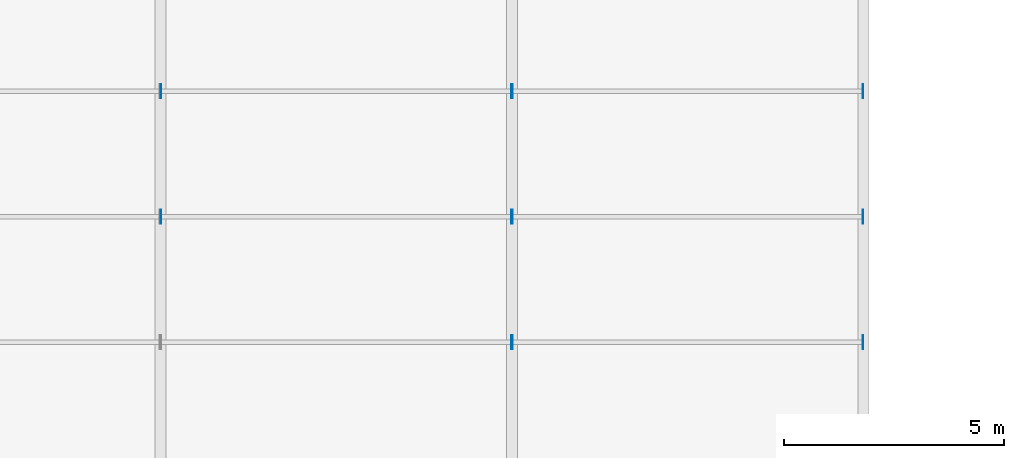
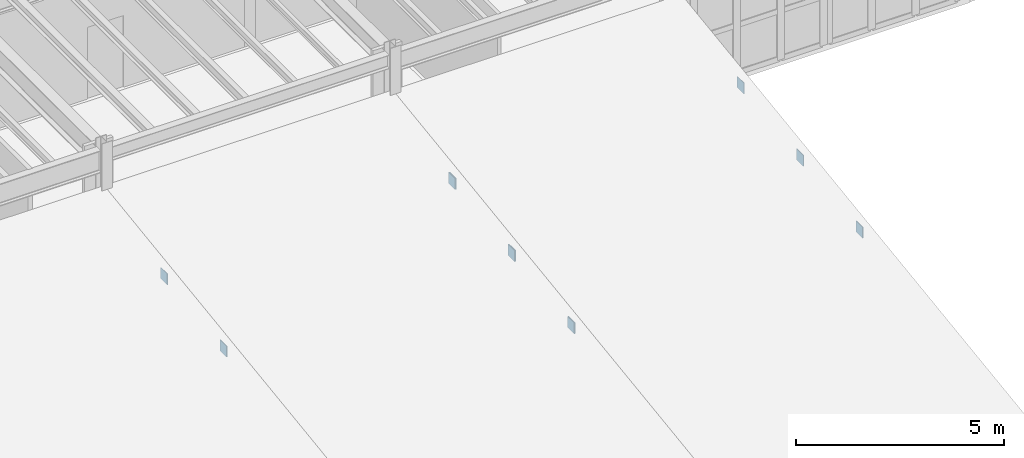
# One storey, part 60 of 77: 11 plates.
"""IFC4 building model written with IfcOpenShell, lengths in metres."""

import ifcopenshell
import ifcopenshell.guid

model = None  # the IFC model being written
_history = None  # IfcOwnerHistory: only IFC2X3 demands one
_inside = {}  # id of a spatial element -> (the spatial element, [elements in it])
_under = {}  # id of a project, library or spatial element -> (it, [spatial elements below it])
_declared = {}  # id of a project -> (the project, [libraries it declares])
_typed = {}  # id of a type object -> (the type object, [elements of that type])
_made_of = {}  # id of a material, layer set ... -> (it, [elements and type objects made of it])


def new_model(schema):
    """Start an empty IFC model of exactly this schema.

    Asked for "IFC4X3", IfcOpenShell would pick the latest addendum, in which some entities
    have other attributes; the version numbers below select the first issue.
    IFC2X3 requires an IfcOwnerHistory on every rooted entity: one is made here for all.
    """
    global model, _history
    if schema == "IFC4X3":
        model = ifcopenshell.file(schema_version=(4, 3, 0, 0))
    else:
        model = ifcopenshell.file(schema=schema)
    _inside.clear()
    _under.clear()
    _declared.clear()
    _typed.clear()
    _made_of.clear()
    _history = None
    if model.schema == "IFC2X3":
        org = make("IfcOrganization", Name="unknown")
        user = make(
            "IfcPersonAndOrganization",
            ThePerson=make("IfcPerson", FamilyName="unknown"),
            TheOrganization=org,
        )
        app = make(
            "IfcApplication",
            ApplicationDeveloper=org,
            Version="unknown",
            ApplicationFullName="unknown",
            ApplicationIdentifier="unknown",
        )
        _history = make(
            "IfcOwnerHistory",
            OwningUser=user,
            OwningApplication=app,
            ChangeAction="ADDED",
            CreationDate=0,
        )
    return model


def make(cls, **values):
    """One entity of the class cls with the attributes given. An attribute that is None is left unset."""
    return model.create_entity(
        cls, **{name: value for name, value in values.items() if value is not None}
    )


def rooted(cls, **values):
    """An entity with a GlobalId (a new one), such as an element, a storey or a relation."""
    return make(cls, GlobalId=ifcopenshell.guid.new(), OwnerHistory=_history, **values)


def si_unit(unit_type, name, prefix=None):
    """IfcSIUnit, for example si_unit("LENGTHUNIT", "METRE", prefix="MILLI")."""
    return make("IfcSIUnit", UnitType=unit_type, Prefix=prefix, Name=name)


def assignment(units):
    """IfcUnitAssignment: the units of a project."""
    return None if units is None else make("IfcUnitAssignment", Units=units)


def point(xyz):
    """IfcCartesianPoint."""
    return None if xyz is None else make("IfcCartesianPoint", Coordinates=xyz)


def direction(xyz):
    """IfcDirection."""
    return None if xyz is None else make("IfcDirection", DirectionRatios=xyz)


def frame(location, z_axis=None, x_axis=None):
    """IfcAxis2Placement3D, a coordinate frame: its origin and axes. An axis left out is left unset."""
    return make(
        "IfcAxis2Placement3D",
        Location=point(location),
        Axis=direction(z_axis),
        RefDirection=direction(x_axis),
    )


def frame_2d(location, x_axis=None):
    """IfcAxis2Placement2D, a coordinate frame in the plane: its origin and x axis."""
    return make(
        "IfcAxis2Placement2D", Location=point(location), RefDirection=direction(x_axis)
    )


def origin():
    """The frame at (0, 0, 0) with its axes left unset."""
    return frame((0.0, 0.0, 0.0))


def origin_2d():
    """The frame at (0, 0) in the plane with its x axis left unset."""
    return frame_2d((0.0, 0.0))


def place(relative_to, where):
    """IfcLocalPlacement: puts the frame where relative to a parent placement (None: the world)."""
    return make(
        "IfcLocalPlacement", PlacementRelTo=relative_to, RelativePlacement=where
    )


def context(
    kind, dimensions, precision=None, world=None, true_north=None, identifier=None
):
    """IfcGeometricRepresentationContext, for example the 3D "Model" context."""
    return make(
        "IfcGeometricRepresentationContext",
        ContextIdentifier=identifier,
        ContextType=kind,
        CoordinateSpaceDimension=dimensions,
        Precision=precision,
        WorldCoordinateSystem=world,
        TrueNorth=true_north,
    )


def subcontext(parent, identifier, kind, view, scale=None):
    """IfcGeometricRepresentationSubContext, for example "Body" below "Model"."""
    return make(
        "IfcGeometricRepresentationSubContext",
        ContextIdentifier=identifier,
        ContextType=kind,
        ParentContext=parent,
        TargetScale=scale,
        TargetView=view,
    )


def project(units=None, contexts=None):
    """IfcProject with its units and contexts."""
    return rooted(
        "IfcProject",
        Name="project",
        RepresentationContexts=contexts,
        UnitsInContext=assignment(units),
    )


def spatial(cls, under=None, at=None, **own):
    """A site, building, storey or space (cls), placed at a placement, below another one or the project."""
    s = rooted(cls, ObjectPlacement=at, **own)
    if under is not None:
        _under.setdefault(under.id(), (under, []))[1].append(s)
    return s


def profile(cls, at=None, kind="AREA", **sizes):
    """A parametric profile (cls). Its sizes go by their IFC names, for example OverallWidth=200.0."""
    return make(cls, ProfileType=kind, Position=at, **sizes)


def rectangle(**sizes):
    """IfcRectangleProfileDef."""
    return profile("IfcRectangleProfileDef", **sizes)


def extrude(swept, where, along, depth):
    """IfcExtrudedAreaSolid: the profile swept, set in the frame where, extruded along a direction by depth."""
    return make(
        "IfcExtrudedAreaSolid",
        SweptArea=swept,
        Position=where,
        ExtrudedDirection=direction(along),
        Depth=depth,
    )


def shape(context_of_items, identifier, shape_type, items):
    """IfcShapeRepresentation: the items that make up one representation, for example the "Body"."""
    return make(
        "IfcShapeRepresentation",
        ContextOfItems=context_of_items,
        RepresentationIdentifier=identifier,
        RepresentationType=shape_type,
        Items=items,
    )


def material(Name=None, Category=None):
    """IfcMaterial."""
    return make("IfcMaterial", Name=Name, Category=Category)


def material_profile(
    of_material, cross_section, Name=None, Category=None, Priority=None
):
    """IfcMaterialProfile: a cross section and its material."""
    return make(
        "IfcMaterialProfile",
        Name=Name,
        Material=of_material,
        Profile=cross_section,
        Priority=Priority,
        Category=Category,
    )


def profile_set(profiles, Name=None, composite=None):
    """IfcMaterialProfileSet."""
    return make(
        "IfcMaterialProfileSet",
        Name=Name,
        MaterialProfiles=profiles,
        CompositeProfile=composite,
    )


def made_of(thing, what):
    """Note that an element or type object is made of a material, layer set ...; save() writes the relation."""
    if what is not None:
        _made_of.setdefault(what.id(), (what, []))[1].append(thing)
    return thing


def type_object(cls, material=None, **own):
    """A type object (cls), such as IfcWallType, which elements share."""
    return made_of(rooted(cls, **own), material)


def element(
    cls,
    number,
    at=None,
    inside=None,
    cuts=None,
    type_object=None,
    material=None,
    context=None,
    identifier="Body",
    shape_type=None,
    held_by="IfcProductDefinitionShape",
    body=None,
    shapes=None,
    **own,
):
    """One element of the class cls, such as IfcWall. Its Tag is "e" and its number.

    at: its placement. inside: the storey or other place that contains it. cuts: it is an
    opening in that element (IfcRelVoidsElement). A single representation is given by context,
    identifier, shape_type and body (its items); several are given by shapes. held_by: the class
    of the entity that holds the representations. save() writes the other relations.
    """
    e = rooted(cls, Tag="e%d" % number, ObjectPlacement=at, **own)
    if body is not None:
        shapes = [shape(context, identifier, shape_type, body)]
    if shapes is not None:
        e.Representation = make(held_by, Representations=shapes)
    if inside is not None:
        _inside.setdefault(inside.id(), (inside, []))[1].append(e)
    if cuts is not None:
        rooted(
            "IfcRelVoidsElement", RelatingBuildingElement=cuts, RelatedOpeningElement=e
        )
    if type_object is not None:
        _typed.setdefault(type_object.id(), (type_object, []))[1].append(e)
    return made_of(e, material)


def aggregate(whole, parts):
    """IfcRelAggregates: a whole, such as a stair, and the parts it consists of."""
    return rooted("IfcRelAggregates", RelatingObject=whole, RelatedObjects=parts)


def save(model, path):
    """Write the relations noted so far, then the file.

    IfcRelAggregates (storeys below a building ...), IfcRelContainedInSpatialStructure (elements
    in a storey), IfcRelDefinesByType, IfcRelAssociatesMaterial and IfcRelDeclares: one each for
    every whole, place, type object, material and project.
    """
    for whole, parts in _under.values():
        aggregate(whole, parts)
    for where, things in _inside.values():
        rooted(
            "IfcRelContainedInSpatialStructure",
            RelatedElements=things,
            RelatingStructure=where,
        )
    for kind, things in _typed.values():
        rooted("IfcRelDefinesByType", RelatedObjects=things, RelatingType=kind)
    for what, things in _made_of.values():
        rooted("IfcRelAssociatesMaterial", RelatedObjects=things, RelatingMaterial=what)
    for by, libraries in _declared.values():
        rooted("IfcRelDeclares", RelatingContext=by, RelatedDefinitions=libraries)
    model.write(path)


model = new_model("IFC4")

# Units and contexts
model_context = context("Model", 3, precision=1e-05, world=origin(), true_north=direction((0.0, 1.0)))
body_context = subcontext(model_context, "Body", "Model", "MODEL_VIEW")
ifc_project = project(units=[si_unit("LENGTHUNIT", "METRE"), si_unit("AREAUNIT", "SQUARE_METRE"), si_unit("VOLUMEUNIT", "CUBIC_METRE"), si_unit("PLANEANGLEUNIT", "RADIAN"), si_unit("MASSUNIT", "GRAM", prefix="KILO"), si_unit("THERMODYNAMICTEMPERATUREUNIT", "KELVIN"), si_unit("POWERUNIT", "WATT")], contexts=[model_context])

# Site, building, storey
site_placement = place(None, origin())
site = spatial("IfcSite", under=ifc_project, at=site_placement, CompositionType="ELEMENT")
building_placement = place(site_placement, origin())
building = spatial("IfcBuilding", under=site, at=building_placement, Name="Zhenchuan Central Fire Station", CompositionType="ELEMENT")
storey_placement = place(building_placement, frame((0.0, 0.0, 10.050048828125)))
storey = spatial("IfcBuildingStorey", under=building, at=storey_placement, Name="L03", CompositionType="ELEMENT", Elevation=10.050048828125)

# Plates
ifc_material = material(Name="Steel Q355B", Category="steel")
ifc_material_profile = material_profile(ifc_material, rectangle(XDim=0.320068359375, YDim=0.320068359375, at=origin_2d()), Name="PL 320x320x20")
ifc_profile_set = profile_set([ifc_material_profile], Name="Steel Q355B")
plate_type = type_object("IfcPlateType", Name="PL-CAP20", PredefinedType="SHEET", material=ifc_profile_set)
for number, where, z_axis, x_axis, name in (
    (1, (31.98095703125, 33.9169921875, 1.161376953125), (1.0, 0.0, 0.0), (0.0, 1.0, 0.0), "Workshop Sawtooth Purlin 4.4 end cap plate B"),
    (2, (23.9990234375, 36.771484375, 1.544189453125), (1.0, 0.0, 0.0), (0.0, 1.0, 0.0), "Workshop Sawtooth Purlin 4.5 end cap plate A"),
    (3, (31.98095703125, 36.771484375, 1.544189453125), (1.0, 0.0, 0.0), (0.0, 1.0, 0.0), "Workshop Sawtooth Purlin 4.5 end cap plate B"),
    (4, (23.9990234375, 39.625732421875, 1.927001953125), (1.0, 0.0, 0.0), (0.0, 1.0, 0.0), "Workshop Sawtooth Purlin 4.6 end cap plate A"),
    (5, (31.98095703125, 39.625732421875, 1.927001953125), (1.0, 0.0, 0.0), (0.0, 1.0, 0.0), "Workshop Sawtooth Purlin 4.6 end cap plate B"),
    (6, (31.9990234375, 33.9169921875, 1.161376953125), (1.0, 0.0, 0.0), (0.0, 1.0, 0.0), "Workshop Sawtooth Purlin 5.4 end cap plate A"),
    (7, (39.98095703125, 33.9169921875, 1.161376953125), (1.0, 0.0, 0.0), (0.0, 1.0, 0.0), "Workshop Sawtooth Purlin 5.4 end cap plate B"),
    (8, (31.9990234375, 36.771484375, 1.544189453125), (1.0, 0.0, 0.0), (0.0, 1.0, 0.0), "Workshop Sawtooth Purlin 5.5 end cap plate A"),
    (9, (39.98095703125, 36.771484375, 1.544189453125), (1.0, 0.0, 0.0), (0.0, 1.0, 0.0), "Workshop Sawtooth Purlin 5.5 end cap plate B"),
    (10, (31.9990234375, 39.625732421875, 1.927001953125), (1.0, 0.0, 0.0), (0.0, 1.0, 0.0), "Workshop Sawtooth Purlin 5.6 end cap plate A"),
    (11, (39.98095703125, 39.625732421875, 1.927001953125), (1.0, 0.0, 0.0), (0.0, 1.0, 0.0), "Workshop Sawtooth Purlin 5.6 end cap plate B"),
):
    element("IfcPlate", number, at=place(storey_placement, frame(where, z_axis=z_axis, x_axis=x_axis)), inside=storey, type_object=plate_type, Name=name, PredefinedType="SHEET", context=body_context, shape_type="SweptSolid", body=[
        extrude(rectangle(XDim=0.320068359375, YDim=0.320068359375, at=origin_2d()), origin(), (0.0, 0.0, 1.0), 0.02001953125),
    ])

save(model, "model.ifc")
